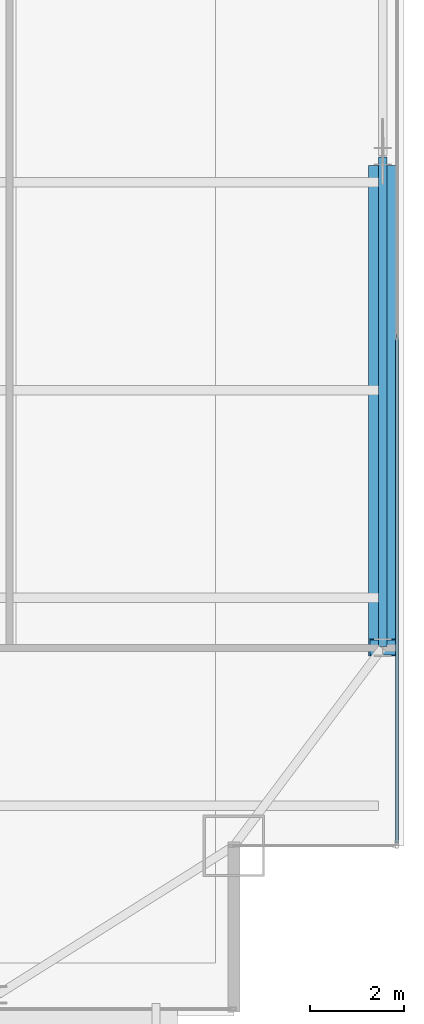
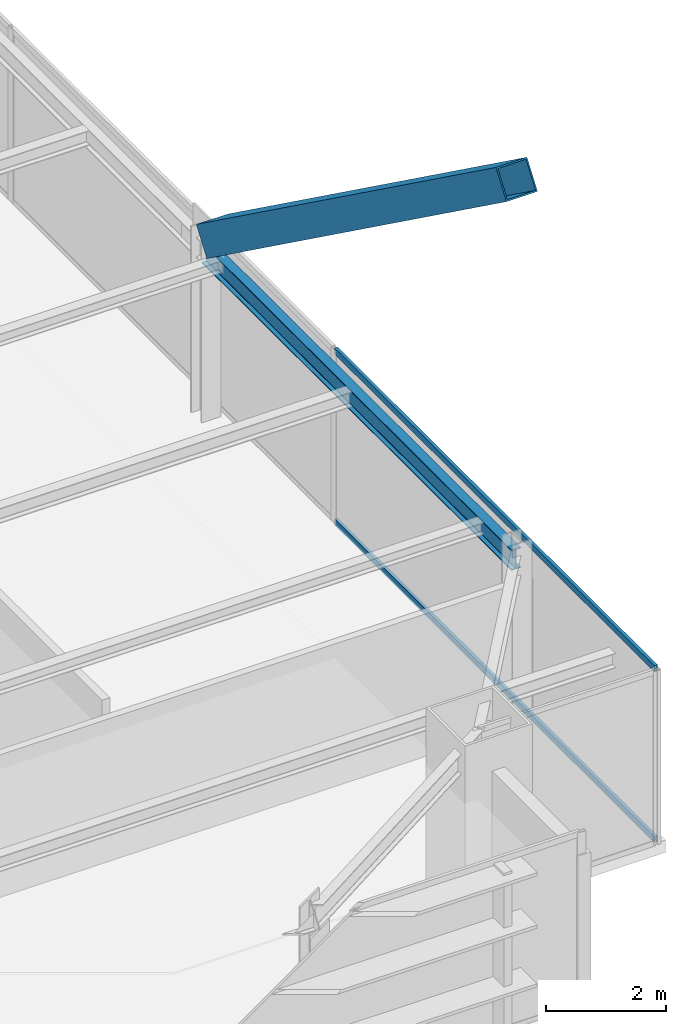
# One storey, part 16 of 30: 3 members, 1 beam, 1 element without a shape of its own.
"""IFC4 building model written with IfcOpenShell, lengths in metres."""

from ifc_helpers import new_model, si_unit, direction, frame, origin, origin_2d, place, context, subcontext, project, spatial, hollow_rectangle, i_section, extrude, source, transform, mapped, material, layer, layer_set, material_profile, profile_set, type_object, type_shapes, element, aggregate, save


model = new_model("IFC4")

# Units and contexts
model_context = context("Model", 3, precision=1e-05, world=origin(), true_north=direction((0.0, 1.0)))
body_context = subcontext(model_context, "Body", "Model", "MODEL_VIEW")
ifc_project = project(units=[si_unit("LENGTHUNIT", "METRE"), si_unit("AREAUNIT", "SQUARE_METRE"), si_unit("VOLUMEUNIT", "CUBIC_METRE"), si_unit("PLANEANGLEUNIT", "RADIAN"), si_unit("MASSUNIT", "GRAM", prefix="KILO")], contexts=[model_context])

# Site, building, storey
site_placement = place(None, origin())
site = spatial("IfcSite", under=ifc_project, at=site_placement, CompositionType="ELEMENT")
building_placement = place(site_placement, origin())
building = spatial("IfcBuilding", under=site, at=building_placement, Name="Varnel Quay Broadcast Tower", CompositionType="ELEMENT")
storey_placement = place(building_placement, frame((0.0, 0.0, 180.0)))
storey = spatial("IfcBuildingStorey", under=building, at=storey_placement, Name="L44", CompositionType="ELEMENT", Elevation=180.0)

# Beam
ifc_material_1 = material(Name="Structural Steel CSA G40.21 350W", Category="steel")
ifc_material_profile_1 = material_profile(ifc_material_1, i_section(OverallWidth=0.180908203125, OverallDepth=0.4169921875, WebThickness=0.010986328125, FlangeThickness=0.018310546875, FilletRadius=0.011962890625, at=origin_2d()), Name="W410X85")
ifc_profile_set_1 = profile_set([ifc_material_profile_1], Name="Structural Steel CSA G40.21 350W")
beam_type = type_object("IfcBeamType", Name="Beam_W410X85", PredefinedType="SPANDREL", material=ifc_profile_set_1)
shared_shape_1 = source(origin(), body_context, "Body", "SweptSolid", [
    extrude(i_section(OverallWidth=0.180908203125, OverallDepth=0.4169921875, WebThickness=0.010986328125, FlangeThickness=0.018310546875, FilletRadius=0.011962890625, at=origin_2d()), origin(), (0.0, 0.0, 1.0), 10.35986328125),
])
type_shapes(beam_type, [shared_shape_1])
beam_placement = place(storey_placement, frame((60.550048828125, 15.02001953125, 3.341552734375), z_axis=(0.0, 1.0, 0.0), x_axis=(-1.0, 0.0, 0.0)))
element("IfcBeam", 1, at=beam_placement, inside=storey, type_object=beam_type, Name="L44 East Spandrel TC-E1-TC-E2", PredefinedType="SPANDREL", context=body_context, shape_type="MappedRepresentation", body=[
    mapped(shared_shape_1, transform((0.0, 0.0, 0.0), x_axis=(1.0, 0.0, 0.0), y_axis=(0.0, 1.0, 0.0), z_axis=(0.0, 0.0, 1.0), scale=1.0)),
])

# Member
ifc_material_2 = material(Name="Structural Steel CSA G40.21 350WT", Category="steel")
ifc_material_profile_2 = material_profile(ifc_material_2, hollow_rectangle(XDim=0.60009765625, YDim=0.60009765625, WallThickness=0.028076171875, at=origin_2d()), Name="BOX600X600X28")
ifc_profile_set_2 = profile_set([ifc_material_profile_2], Name="Structural Steel CSA G40.21 350WT")
member_type_1 = type_object("IfcMemberType", Name="Brace_BOX600X600X28", PredefinedType="BRACE", material=ifc_profile_set_2)
shared_shape_2 = source(origin(), body_context, "Body", "SweptSolid", [
    extrude(hollow_rectangle(XDim=0.60009765625, YDim=0.60009765625, WallThickness=0.028076171875, at=origin_2d()), origin(), (0.0, 0.0, 1.0), 12.365234375),
])
type_shapes(member_type_1, [shared_shape_2])
member_1_placement = place(storey_placement, frame((60.550048828125, 25.023681640625, 3.859619140625), z_axis=(0.0, -0.810634971987, 0.585551827075), x_axis=(1.0, 0.0, 0.0)))
element("IfcMember", 2, at=member_1_placement, inside=storey, type_object=member_type_1, Name="Zone 3 Mega-Brace E-FT3 Split Diag B2", PredefinedType="BRACE", context=body_context, shape_type="MappedRepresentation", body=[
    mapped(shared_shape_2, transform((0.0, 0.0, 0.0), x_axis=(1.0, 0.0, 0.0), y_axis=(0.0, 1.0, 0.0), z_axis=(0.0, 0.0, 1.0), scale=1.0)),
])

# Curtain wall, members
ifc_material_3 = material(Name="Anodised Bronze Aluminium 6063-T6", Category="aluminium")
ifc_layer = layer(ifc_material_3, 0.18994140625, Name="Anodised Bronze Aluminium 6063-T6")
ifc_layer_set = layer_set([ifc_layer], Name="Anodised Bronze Aluminium 6063-T6")
curtain_wall_type = type_object("IfcCurtainWallType", Name="CW_UpperTower", PredefinedType="NOTDEFINED", material=ifc_layer_set)
curtain_wall_placement = place(storey_placement, origin())
curtain_wall = element("IfcCurtainWall", 3, at=curtain_wall_placement, inside=storey, type_object=curtain_wall_type, Name="L44 East Unitised Curtain Wall", PredefinedType="NOTDEFINED")
ifc_material_profile_3 = material_profile(ifc_material_3, hollow_rectangle(XDim=0.06005859375, YDim=0.125, WallThickness=0.0029296875, at=origin_2d()), Name="ALU60X125X3")
ifc_profile_set_3 = profile_set([ifc_material_profile_3], Name="Anodised Bronze Aluminium 6063-T6")
member_type_2 = type_object("IfcMemberType", Name="Tran_CWS-03", PredefinedType="USERDEFINED", material=ifc_profile_set_3)
shared_shape_3 = source(origin(), body_context, "Body", "SweptSolid", [
    extrude(hollow_rectangle(XDim=0.06005859375, YDim=0.125, WallThickness=0.0029296875, at=origin_2d()), origin(), (0.0, 0.0, 1.0), 10.702392578125),
])
type_shapes(member_type_2, [shared_shape_3])
member_2_placement = place(storey_placement, frame((60.85009765625, 10.864990234375, 0.030029296875), z_axis=(0.0, 1.0, 0.0), x_axis=(-1.0, 0.0, 0.0)))
member_2 = element("IfcMember", 4, at=member_2_placement, type_object=member_type_2, Name="CWS-03 transom 1.1", ObjectType="TRANSOM", PredefinedType="USERDEFINED", context=body_context, shape_type="MappedRepresentation", body=[
    mapped(shared_shape_3, transform((0.0, 0.0, 0.0), x_axis=(1.0, 0.0, 0.0), y_axis=(0.0, 1.0, 0.0), z_axis=(0.0, 0.0, 1.0), scale=1.0)),
])
member_3_placement = place(storey_placement, frame((60.85009765625, 10.864990234375, 3.52001953125), z_axis=(0.0, 1.0, 0.0), x_axis=(-1.0, 0.0, 0.0)))
member_3 = element("IfcMember", 5, at=member_3_placement, type_object=member_type_2, Name="CWS-03 transom 1.2", ObjectType="TRANSOM", PredefinedType="USERDEFINED", context=body_context, shape_type="MappedRepresentation", body=[
    mapped(shared_shape_3, transform((0.0, 0.0, 0.0), x_axis=(1.0, 0.0, 0.0), y_axis=(0.0, 1.0, 0.0), z_axis=(0.0, 0.0, 1.0), scale=1.0)),
])
aggregate(curtain_wall, [member_2, member_3])

save(model, "model.ifc")
